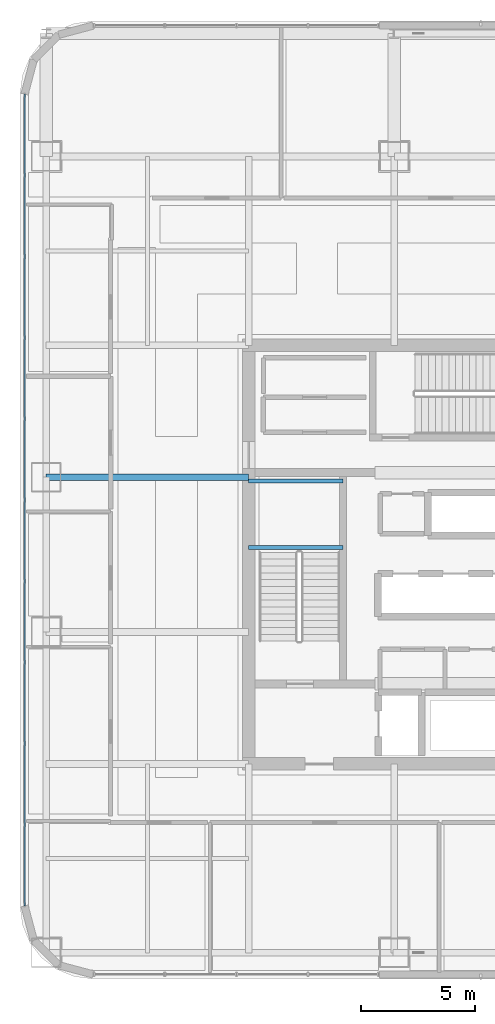
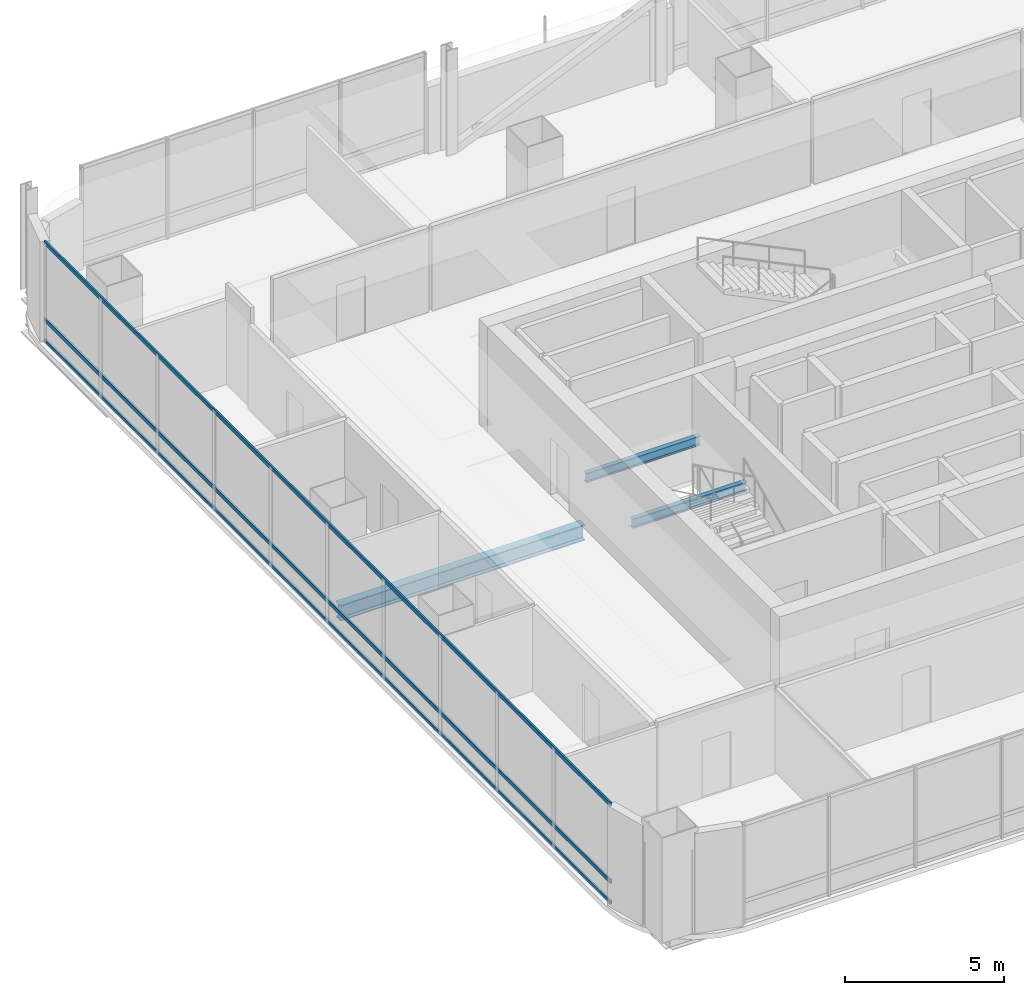
# One storey, part 9 of 44: 3 beams, 3 members, 1 element without a shape of its own.
"""IFC4 building model written with IfcOpenShell, lengths in metres."""

from ifc_helpers import new_model, si_unit, direction, frame, origin, origin_2d, place, context, subcontext, project, spatial, hollow_rectangle, i_section, extrude, material, material_profile, profile_set, type_object, element, aggregate, save


model = new_model("IFC4")

# Units and contexts
model_context = context("Model", 3, precision=1e-05, world=origin(), true_north=direction((0.0, 1.0)))
body_context = subcontext(model_context, "Body", "Model", "MODEL_VIEW")
ifc_project = project(units=[si_unit("LENGTHUNIT", "METRE"), si_unit("AREAUNIT", "SQUARE_METRE"), si_unit("VOLUMEUNIT", "CUBIC_METRE"), si_unit("PLANEANGLEUNIT", "RADIAN"), si_unit("MASSUNIT", "GRAM", prefix="KILO")], contexts=[model_context])

# Site, building, storey
site_placement = place(None, origin())
site = spatial("IfcSite", under=ifc_project, at=site_placement, CompositionType="ELEMENT")
building_placement = place(site_placement, origin())
building = spatial("IfcBuilding", under=site, at=building_placement, Name="Punatoya Terracotta Tower", CompositionType="ELEMENT")
storey_placement = place(building_placement, frame((0.0, 0.0, 267.60009765625)))
storey = spatial("IfcBuildingStorey", under=building, at=storey_placement, Name="L63", CompositionType="ELEMENT", Elevation=267.60009765625)

# Beams
ifc_material_1 = material(Name="Steel S355", Category="steel")
ifc_material_profile_1 = material_profile(ifc_material_1, i_section(OverallWidth=0.300048828125, OverallDepth=0.60009765625, WebThickness=0.015380859375, FlangeThickness=0.030029296875, FilletRadius=0.01806640625, at=origin_2d()))
ifc_profile_set_1 = profile_set([ifc_material_profile_1], Name="Steel S355")
beam_type_1 = type_object("IfcBeamType", Name="BM-PRI-600", PredefinedType="BEAM", material=ifc_profile_set_1)
beam_placement = place(storey_placement, frame((-19.10009765625, 3.39990234375, -0.5), z_axis=(1.0, 0.0, 0.0), x_axis=(0.0, 1.0, 0.0)))
element("IfcBeam", 1, at=beam_placement, inside=storey, type_object=beam_type_1, Name="BM-L63-PR-WE", PredefinedType="BEAM", context=body_context, shape_type="SweptSolid", body=[
    extrude(i_section(OverallWidth=0.300048828125, OverallDepth=0.60009765625, WebThickness=0.015380859375, FlangeThickness=0.030029296875, FilletRadius=0.01806640625, at=origin_2d()), origin(), (0.0, 0.0, 1.0), 8.900146484375),
])
ifc_material_profile_2 = material_profile(ifc_material_1, i_section(OverallWidth=0.169921875, OverallDepth=0.360107421875, WebThickness=0.008056640625, FlangeThickness=0.0126953125, FilletRadius=0.01806640625, at=origin_2d()))
ifc_profile_set_2 = profile_set([ifc_material_profile_2], Name="Steel S355")
beam_type_2 = type_object("IfcBeamType", Name="BM-SEC-360", PredefinedType="JOIST", material=ifc_profile_set_2)
for number, where, z_axis, x_axis, name in (
    (2, (-10.199951171875, 0.320068359375, 1.64501953125), (1.0, 0.0, 0.0), (0.0, 1.0, 0.0), "BM-L63-ST-1-LD1A"),
    (3, (-10.199951171875, 3.22998046875, 1.64501953125), (1.0, 0.0, 0.0), (0.0, 1.0, 0.0), "BM-L63-ST-1-LD1B"),
):
    element("IfcBeam", number, at=place(storey_placement, frame(where, z_axis=z_axis, x_axis=x_axis)), inside=storey, type_object=beam_type_2, Name=name, PredefinedType="JOIST", context=body_context, shape_type="SweptSolid", body=[
        extrude(i_section(OverallWidth=0.169921875, OverallDepth=0.360107421875, WebThickness=0.008056640625, FlangeThickness=0.0126953125, FilletRadius=0.01806640625, at=origin_2d()), origin(), (0.0, 0.0, 1.0), 4.14990234375),
    ])

# Curtain wall, members
ifc_material_2 = material(Name="Aluminium 6063-T6 + Double Low-E Glass", Category="aluminium")
curtain_wall_type = type_object("IfcCurtainWallType", Name="CW-M3", PredefinedType="NOTDEFINED", material=ifc_material_2)
curtain_wall_placement = place(storey_placement, origin())
curtain_wall = element("IfcCurtainWall", 4, at=curtain_wall_placement, inside=storey, type_object=curtain_wall_type, Name="L63 Curtain Wall CW-L63-W13-1", PredefinedType="NOTDEFINED")
ifc_material_3 = material(Name="Aluminium 6063-T6", Category="aluminium")
ifc_material_profile_3 = material_profile(ifc_material_3, hollow_rectangle(XDim=0.068115234375, YDim=0.14990234375, WallThickness=0.00390625, at=origin_2d()))
ifc_profile_set_3 = profile_set([ifc_material_profile_3], Name="Aluminium 6063-T6")
member_type = type_object("IfcMemberType", Name="CW-TRN-TYP", PredefinedType="USERDEFINED", material=ifc_profile_set_3)
member_1_placement = place(storey_placement, frame((-20.050048828125, 20.23681640625, 0.039794921875), z_axis=(0.0, -1.0, 0.0), x_axis=(1.0, 0.0, 0.0)))
member_1 = element("IfcMember", 5, at=member_1_placement, type_object=member_type, Name="CW-L63-W13-1 Transom 1", ObjectType="TRANSOM", PredefinedType="USERDEFINED", context=body_context, shape_type="SweptSolid", body=[
    extrude(hollow_rectangle(XDim=0.068115234375, YDim=0.14990234375, WallThickness=0.00390625, at=origin_2d()), origin(), (0.0, 0.0, 1.0), 35.673828125),
])
member_2_placement = place(storey_placement, frame((-20.050048828125, 20.23681640625, 0.849853515625), z_axis=(0.0, -1.0, 0.0), x_axis=(1.0, 0.0, 0.0)))
member_2 = element("IfcMember", 6, at=member_2_placement, type_object=member_type, Name="CW-L63-W13-1 Transom 2", ObjectType="TRANSOM", PredefinedType="USERDEFINED", context=body_context, shape_type="SweptSolid", body=[
    extrude(hollow_rectangle(XDim=0.068115234375, YDim=0.14990234375, WallThickness=0.00390625, at=origin_2d()), origin(), (0.0, 0.0, 1.0), 35.673828125),
])
member_3_placement = place(storey_placement, frame((-20.050048828125, 20.23681640625, 3.809814453125), z_axis=(0.0, -1.0, 0.0), x_axis=(1.0, 0.0, 0.0)))
member_3 = element("IfcMember", 7, at=member_3_placement, type_object=member_type, Name="CW-L63-W13-1 Transom 3", ObjectType="TRANSOM", PredefinedType="USERDEFINED", context=body_context, shape_type="SweptSolid", body=[
    extrude(hollow_rectangle(XDim=0.068115234375, YDim=0.14990234375, WallThickness=0.00390625, at=origin_2d()), origin(), (0.0, 0.0, 1.0), 35.673828125),
])
aggregate(curtain_wall, [member_1, member_2, member_3])

save(model, "model.ifc")
